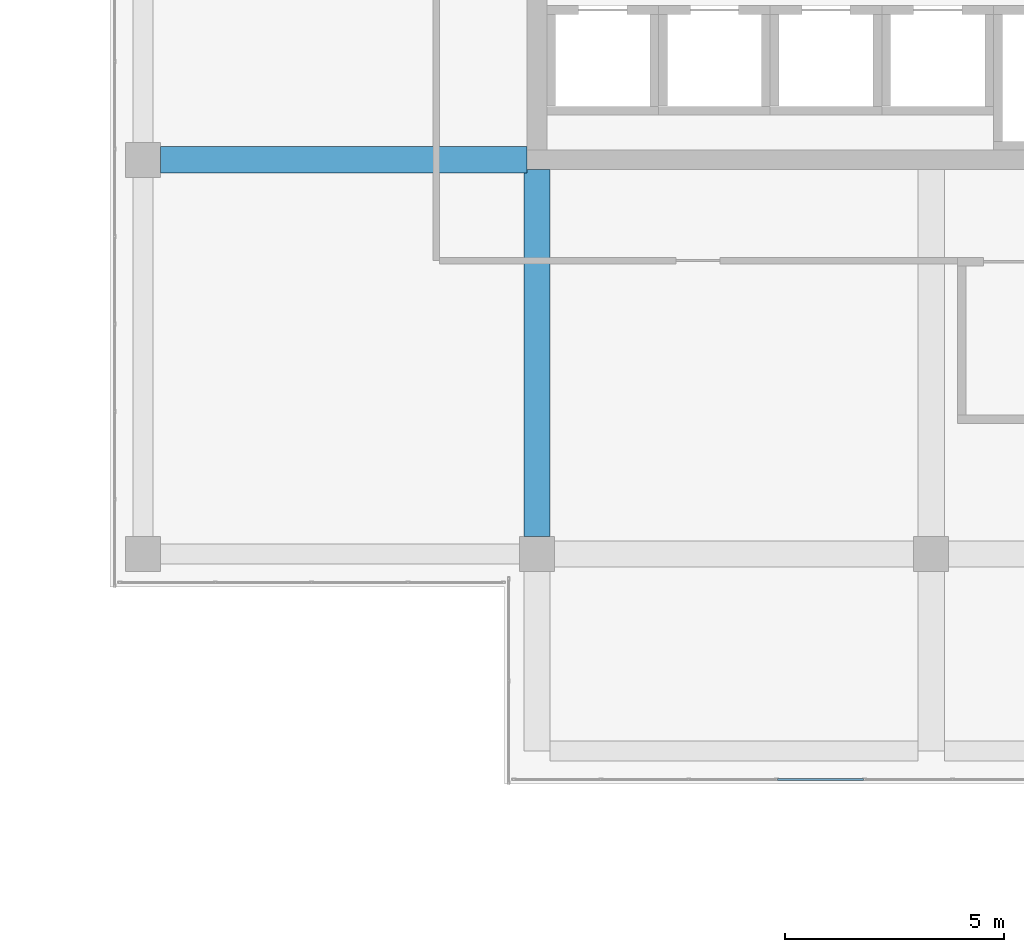
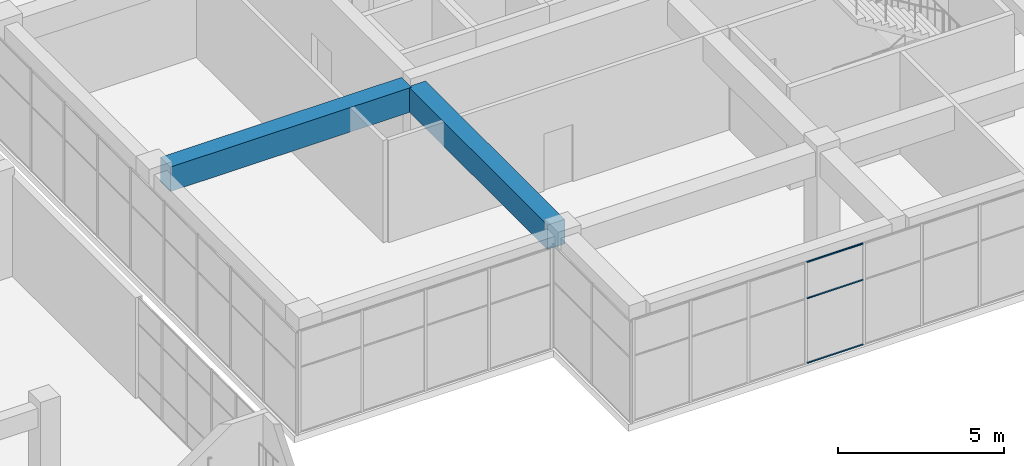
# One storey, part 17 of 65: 3 members, 2 beams, 1 element without a shape of its own.
"""IFC4 building model written with IfcOpenShell, lengths in metres."""

from ifc_helpers import new_model, si_unit, direction, frame, origin, origin_2d, place, context, subcontext, project, spatial, rectangle, hollow_rectangle, extrude, material, layer, layer_set, material_profile, profile_set, type_object, element, aggregate, save


model = new_model("IFC4")

# Units and contexts
model_context = context("Model", 3, precision=1e-05, world=origin(), true_north=direction((0.0, 1.0)))
body_context = subcontext(model_context, "Body", "Model", "MODEL_VIEW")
ifc_project = project(units=[si_unit("LENGTHUNIT", "METRE"), si_unit("AREAUNIT", "SQUARE_METRE"), si_unit("VOLUMEUNIT", "CUBIC_METRE"), si_unit("PLANEANGLEUNIT", "RADIAN"), si_unit("MASSUNIT", "GRAM", prefix="KILO")], contexts=[model_context])

# Site, building, storey
site_placement = place(None, origin())
site = spatial("IfcSite", under=ifc_project, at=site_placement, CompositionType="ELEMENT")
building_placement = place(site_placement, origin())
building = spatial("IfcBuilding", under=site, at=building_placement, Name="Tuart Plaza Theatre", CompositionType="ELEMENT")
storey_placement = place(building_placement, frame((0.0, 0.0, 9.5)))
storey = spatial("IfcBuildingStorey", under=building, at=storey_placement, Name="L02", CompositionType="ELEMENT", Elevation=9.5)

# Beams
ifc_material_1 = material(Name="Concrete N40 (40 MPa)", Category="concrete")
ifc_material_profile_1 = material_profile(ifc_material_1, rectangle(XDim=0.60009765625, YDim=0.89990234375, at=origin_2d()), Name="BEAM 600x900 Concrete N40 (40 MPa)")
ifc_profile_set_1 = profile_set([ifc_material_profile_1], Name="Concrete N40 (40 MPa)")
beam_type = type_object("IfcBeamType", Name="BEAM 600x900 Concrete N40 (40 MPa)", PredefinedType="BEAM", material=ifc_profile_set_1)
for number, where, z_axis, x_axis, name in (
    (1, (114.39990234375, 65.0, 3.300048828125), (1.0, 0.0, 0.0), (0.0, 1.0, 0.0), "RB165"),
    (2, (123.0, 56.39990234375, 3.300048828125), (0.0, 1.0, 0.0), (-1.0, 0.0, 0.0), "RB175"),
):
    element("IfcBeam", number, at=place(storey_placement, frame(where, z_axis=z_axis, x_axis=x_axis)), inside=storey, type_object=beam_type, Name=name, PredefinedType="BEAM", context=body_context, shape_type="SweptSolid", body=[
        extrude(rectangle(XDim=0.60009765625, YDim=0.89990234375, at=origin_2d()), origin(), (0.0, 0.0, 1.0), 8.375),
    ])

# Curtain wall, members
ifc_material_2 = material(Name="Aluminium and glass", Category="aluminium")
ifc_layer = layer(ifc_material_2, 0.10009765625)
ifc_layer_set = layer_set([ifc_layer], Name="CURTAIN WALL 2000 module")
curtain_wall_type = type_object("IfcCurtainWallType", Name="CURTAIN WALL 2000 module", PredefinedType="NOTDEFINED", material=ifc_layer_set)
curtain_wall_placement = place(storey_placement, origin())
curtain_wall = element("IfcCurtainWall", 3, at=curtain_wall_placement, inside=storey, type_object=curtain_wall_type, Name="CW68", PredefinedType="NOTDEFINED")
ifc_material_3 = material(Name="Aluminium 6063-T5", Category="aluminium")
ifc_material_profile_2 = material_profile(ifc_material_3, hollow_rectangle(XDim=0.050048828125, YDim=0.050048828125, WallThickness=0.00390625, InnerFilletRadius=0.00390625, OuterFilletRadius=0.008056640625, at=origin_2d()), Name="RHS 50x50x4")
ifc_profile_set_2 = profile_set([ifc_material_profile_2], Name="Aluminium 6063-T5")
member_type = type_object("IfcMemberType", Name="TRANSOM RHS 50x50x4", PredefinedType="USERDEFINED", material=ifc_profile_set_2)
member_1_placement = place(storey_placement, frame((128.496337890625, 50.85009765625, 0.02490234375), z_axis=(1.0, 0.0, 0.0), x_axis=(0.0, 1.0, 0.0)))
member_1 = element("IfcMember", 4, at=member_1_placement, type_object=member_type, Name="CW68 transom 4.1", ObjectType="TRANSOM", PredefinedType="USERDEFINED", context=body_context, shape_type="SweptSolid", body=[
    extrude(hollow_rectangle(XDim=0.050048828125, YDim=0.050048828125, WallThickness=0.00390625, InnerFilletRadius=0.00390625, OuterFilletRadius=0.008056640625, at=origin_2d()), origin(), (0.0, 0.0, 1.0), 1.957275390625),
])
member_2_placement = place(storey_placement, frame((128.496337890625, 50.85009765625, 2.39990234375), z_axis=(1.0, 0.0, 0.0), x_axis=(0.0, 1.0, 0.0)))
member_2 = element("IfcMember", 5, at=member_2_placement, type_object=member_type, Name="CW68 transom 4.2", ObjectType="TRANSOM", PredefinedType="USERDEFINED", context=body_context, shape_type="SweptSolid", body=[
    extrude(hollow_rectangle(XDim=0.050048828125, YDim=0.050048828125, WallThickness=0.00390625, InnerFilletRadius=0.00390625, OuterFilletRadius=0.008056640625, at=origin_2d()), origin(), (0.0, 0.0, 1.0), 1.957275390625),
])
member_3_placement = place(storey_placement, frame((128.496337890625, 50.85009765625, 3.72509765625), z_axis=(1.0, 0.0, 0.0), x_axis=(0.0, 1.0, 0.0)))
member_3 = element("IfcMember", 6, at=member_3_placement, type_object=member_type, Name="CW68 transom 4.3", ObjectType="TRANSOM", PredefinedType="USERDEFINED", context=body_context, shape_type="SweptSolid", body=[
    extrude(hollow_rectangle(XDim=0.050048828125, YDim=0.050048828125, WallThickness=0.00390625, InnerFilletRadius=0.00390625, OuterFilletRadius=0.008056640625, at=origin_2d()), origin(), (0.0, 0.0, 1.0), 1.957275390625),
])
aggregate(curtain_wall, [member_1, member_2, member_3])

save(model, "model.ifc")
